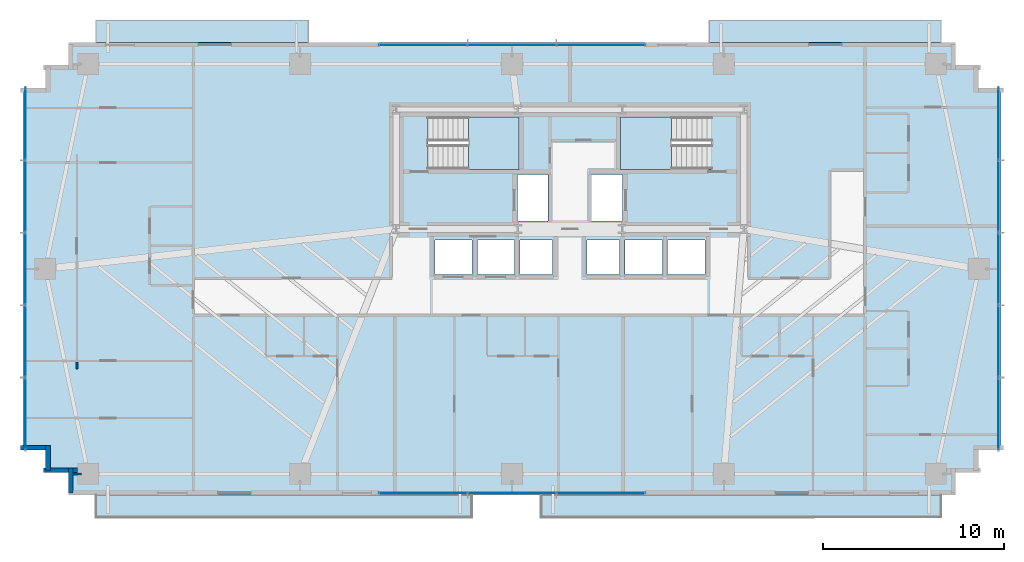
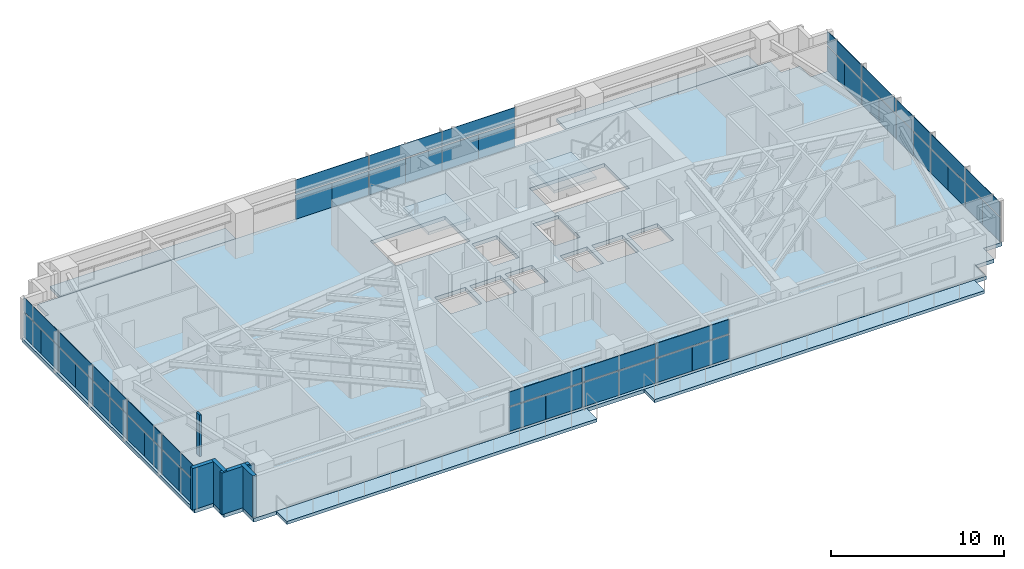
# One storey, part 18 of 25: 48 plates, 7 slabs, 6 walls, 6 elements without a shape of their own.
"""IFC4 building model written with IfcOpenShell, lengths in metres."""

import ifcopenshell
import ifcopenshell.guid

model = None  # the IFC model being written
_history = None  # IfcOwnerHistory: only IFC2X3 demands one
_inside = {}  # id of a spatial element -> (the spatial element, [elements in it])
_under = {}  # id of a project, library or spatial element -> (it, [spatial elements below it])
_declared = {}  # id of a project -> (the project, [libraries it declares])
_typed = {}  # id of a type object -> (the type object, [elements of that type])
_made_of = {}  # id of a material, layer set ... -> (it, [elements and type objects made of it])


def new_model(schema):
    """Start an empty IFC model of exactly this schema.

    Asked for "IFC4X3", IfcOpenShell would pick the latest addendum, in which some entities
    have other attributes; the version numbers below select the first issue.
    IFC2X3 requires an IfcOwnerHistory on every rooted entity: one is made here for all.
    """
    global model, _history
    if schema == "IFC4X3":
        model = ifcopenshell.file(schema_version=(4, 3, 0, 0))
    else:
        model = ifcopenshell.file(schema=schema)
    _inside.clear()
    _under.clear()
    _declared.clear()
    _typed.clear()
    _made_of.clear()
    _history = None
    if model.schema == "IFC2X3":
        org = make("IfcOrganization", Name="unknown")
        user = make(
            "IfcPersonAndOrganization",
            ThePerson=make("IfcPerson", FamilyName="unknown"),
            TheOrganization=org,
        )
        app = make(
            "IfcApplication",
            ApplicationDeveloper=org,
            Version="unknown",
            ApplicationFullName="unknown",
            ApplicationIdentifier="unknown",
        )
        _history = make(
            "IfcOwnerHistory",
            OwningUser=user,
            OwningApplication=app,
            ChangeAction="ADDED",
            CreationDate=0,
        )
    return model


def make(cls, **values):
    """One entity of the class cls with the attributes given. An attribute that is None is left unset."""
    return model.create_entity(
        cls, **{name: value for name, value in values.items() if value is not None}
    )


def rooted(cls, **values):
    """An entity with a GlobalId (a new one), such as an element, a storey or a relation."""
    return make(cls, GlobalId=ifcopenshell.guid.new(), OwnerHistory=_history, **values)


def si_unit(unit_type, name, prefix=None):
    """IfcSIUnit, for example si_unit("LENGTHUNIT", "METRE", prefix="MILLI")."""
    return make("IfcSIUnit", UnitType=unit_type, Prefix=prefix, Name=name)


def assignment(units):
    """IfcUnitAssignment: the units of a project."""
    return None if units is None else make("IfcUnitAssignment", Units=units)


def point(xyz):
    """IfcCartesianPoint."""
    return None if xyz is None else make("IfcCartesianPoint", Coordinates=xyz)


def direction(xyz):
    """IfcDirection."""
    return None if xyz is None else make("IfcDirection", DirectionRatios=xyz)


def frame(location, z_axis=None, x_axis=None):
    """IfcAxis2Placement3D, a coordinate frame: its origin and axes. An axis left out is left unset."""
    return make(
        "IfcAxis2Placement3D",
        Location=point(location),
        Axis=direction(z_axis),
        RefDirection=direction(x_axis),
    )


def frame_2d(location, x_axis=None):
    """IfcAxis2Placement2D, a coordinate frame in the plane: its origin and x axis."""
    return make(
        "IfcAxis2Placement2D", Location=point(location), RefDirection=direction(x_axis)
    )


def origin():
    """The frame at (0, 0, 0) with its axes left unset."""
    return frame((0.0, 0.0, 0.0))


def origin_2d():
    """The frame at (0, 0) in the plane with its x axis left unset."""
    return frame_2d((0.0, 0.0))


def place(relative_to, where):
    """IfcLocalPlacement: puts the frame where relative to a parent placement (None: the world)."""
    return make(
        "IfcLocalPlacement", PlacementRelTo=relative_to, RelativePlacement=where
    )


def context(
    kind, dimensions, precision=None, world=None, true_north=None, identifier=None
):
    """IfcGeometricRepresentationContext, for example the 3D "Model" context."""
    return make(
        "IfcGeometricRepresentationContext",
        ContextIdentifier=identifier,
        ContextType=kind,
        CoordinateSpaceDimension=dimensions,
        Precision=precision,
        WorldCoordinateSystem=world,
        TrueNorth=true_north,
    )


def subcontext(parent, identifier, kind, view, scale=None):
    """IfcGeometricRepresentationSubContext, for example "Body" below "Model"."""
    return make(
        "IfcGeometricRepresentationSubContext",
        ContextIdentifier=identifier,
        ContextType=kind,
        ParentContext=parent,
        TargetScale=scale,
        TargetView=view,
    )


def project(units=None, contexts=None):
    """IfcProject with its units and contexts."""
    return rooted(
        "IfcProject",
        Name="project",
        RepresentationContexts=contexts,
        UnitsInContext=assignment(units),
    )


def spatial(cls, under=None, at=None, **own):
    """A site, building, storey or space (cls), placed at a placement, below another one or the project."""
    s = rooted(cls, ObjectPlacement=at, **own)
    if under is not None:
        _under.setdefault(under.id(), (under, []))[1].append(s)
    return s


def polyline(points):
    """IfcPolyline through the points."""
    return make("IfcPolyline", Points=[point(p) for p in points])


def profile(cls, at=None, kind="AREA", **sizes):
    """A parametric profile (cls). Its sizes go by their IFC names, for example OverallWidth=200.0."""
    return make(cls, ProfileType=kind, Position=at, **sizes)


def rectangle(**sizes):
    """IfcRectangleProfileDef."""
    return profile("IfcRectangleProfileDef", **sizes)


def outline(outer, holes=None, kind="AREA"):
    """IfcArbitraryClosedProfileDef: a profile drawn as a closed curve; with holes, ...WithVoids."""
    if holes is None:
        return make("IfcArbitraryClosedProfileDef", ProfileType=kind, OuterCurve=outer)
    return make(
        "IfcArbitraryProfileDefWithVoids",
        ProfileType=kind,
        OuterCurve=outer,
        InnerCurves=holes,
    )


def extrude(swept, where, along, depth):
    """IfcExtrudedAreaSolid: the profile swept, set in the frame where, extruded along a direction by depth."""
    return make(
        "IfcExtrudedAreaSolid",
        SweptArea=swept,
        Position=where,
        ExtrudedDirection=direction(along),
        Depth=depth,
    )


def shape(context_of_items, identifier, shape_type, items):
    """IfcShapeRepresentation: the items that make up one representation, for example the "Body"."""
    return make(
        "IfcShapeRepresentation",
        ContextOfItems=context_of_items,
        RepresentationIdentifier=identifier,
        RepresentationType=shape_type,
        Items=items,
    )


def source(mapping_origin, context_of_items, identifier, shape_type, items):
    """IfcRepresentationMap: a shape defined once, which mapped items show again and again."""
    return make(
        "IfcRepresentationMap",
        MappingOrigin=mapping_origin,
        MappedRepresentation=shape(context_of_items, identifier, shape_type, items),
    )


def transform(
    local_origin,
    x_axis=None,
    y_axis=None,
    z_axis=None,
    scale=None,
    scale2=None,
    scale3=None,
    uniform=True,
):
    """IfcCartesianTransformationOperator3D, or its non-uniform kind. x_axis, y_axis, z_axis: its Axis1, 2, 3."""
    if uniform:
        return make(
            "IfcCartesianTransformationOperator3D",
            Axis1=direction(x_axis),
            Axis2=direction(y_axis),
            LocalOrigin=point(local_origin),
            Scale=scale,
            Axis3=direction(z_axis),
        )
    return make(
        "IfcCartesianTransformationOperator3DnonUniform",
        Axis1=direction(x_axis),
        Axis2=direction(y_axis),
        LocalOrigin=point(local_origin),
        Scale=scale,
        Axis3=direction(z_axis),
        Scale2=scale2,
        Scale3=scale3,
    )


def mapped(mapping_source, mapping_target):
    """IfcMappedItem: shows the shape of a source again, moved by a transform."""
    return make(
        "IfcMappedItem", MappingSource=mapping_source, MappingTarget=mapping_target
    )


def material(Name=None, Category=None):
    """IfcMaterial."""
    return make("IfcMaterial", Name=Name, Category=Category)


def layer(
    of_material, thickness, ventilated=None, Name=None, Category=None, Priority=None
):
    """IfcMaterialLayer: one layer of a wall or slab, of a material (None: an air gap)."""
    return make(
        "IfcMaterialLayer",
        Material=of_material,
        LayerThickness=thickness,
        IsVentilated=ventilated,
        Name=Name,
        Category=Category,
        Priority=Priority,
    )


def layer_set(layers, Name=None):
    """IfcMaterialLayerSet."""
    return make("IfcMaterialLayerSet", MaterialLayers=layers, LayerSetName=Name)


def made_of(thing, what):
    """Note that an element or type object is made of a material, layer set ...; save() writes the relation."""
    if what is not None:
        _made_of.setdefault(what.id(), (what, []))[1].append(thing)
    return thing


def type_object(cls, material=None, **own):
    """A type object (cls), such as IfcWallType, which elements share."""
    return made_of(rooted(cls, **own), material)


def type_shapes(of_type, sources):
    """Give a type object the sources (RepresentationMaps) that its elements show as mapped items."""
    of_type.RepresentationMaps = sources


def element(
    cls,
    number,
    at=None,
    inside=None,
    cuts=None,
    type_object=None,
    material=None,
    context=None,
    identifier="Body",
    shape_type=None,
    held_by="IfcProductDefinitionShape",
    body=None,
    shapes=None,
    **own,
):
    """One element of the class cls, such as IfcWall. Its Tag is "e" and its number.

    at: its placement. inside: the storey or other place that contains it. cuts: it is an
    opening in that element (IfcRelVoidsElement). A single representation is given by context,
    identifier, shape_type and body (its items); several are given by shapes. held_by: the class
    of the entity that holds the representations. save() writes the other relations.
    """
    e = rooted(cls, Tag="e%d" % number, ObjectPlacement=at, **own)
    if body is not None:
        shapes = [shape(context, identifier, shape_type, body)]
    if shapes is not None:
        e.Representation = make(held_by, Representations=shapes)
    if inside is not None:
        _inside.setdefault(inside.id(), (inside, []))[1].append(e)
    if cuts is not None:
        rooted(
            "IfcRelVoidsElement", RelatingBuildingElement=cuts, RelatedOpeningElement=e
        )
    if type_object is not None:
        _typed.setdefault(type_object.id(), (type_object, []))[1].append(e)
    return made_of(e, material)


def aggregate(whole, parts):
    """IfcRelAggregates: a whole, such as a stair, and the parts it consists of."""
    return rooted("IfcRelAggregates", RelatingObject=whole, RelatedObjects=parts)


def save(model, path):
    """Write the relations noted so far, then the file.

    IfcRelAggregates (storeys below a building ...), IfcRelContainedInSpatialStructure (elements
    in a storey), IfcRelDefinesByType, IfcRelAssociatesMaterial and IfcRelDeclares: one each for
    every whole, place, type object, material and project.
    """
    for whole, parts in _under.values():
        aggregate(whole, parts)
    for where, things in _inside.values():
        rooted(
            "IfcRelContainedInSpatialStructure",
            RelatedElements=things,
            RelatingStructure=where,
        )
    for kind, things in _typed.values():
        rooted("IfcRelDefinesByType", RelatedObjects=things, RelatingType=kind)
    for what, things in _made_of.values():
        rooted("IfcRelAssociatesMaterial", RelatedObjects=things, RelatingMaterial=what)
    for by, libraries in _declared.values():
        rooted("IfcRelDeclares", RelatingContext=by, RelatedDefinitions=libraries)
    model.write(path)


model = new_model("IFC4")

# Units and contexts
model_context = context("Model", 3, precision=1e-05, world=origin(), true_north=direction((0.0, 1.0)))
body_context = subcontext(model_context, "Body", "Model", "MODEL_VIEW")
ifc_project = project(units=[si_unit("LENGTHUNIT", "METRE"), si_unit("AREAUNIT", "SQUARE_METRE"), si_unit("VOLUMEUNIT", "CUBIC_METRE"), si_unit("PLANEANGLEUNIT", "RADIAN"), si_unit("MASSUNIT", "GRAM", prefix="KILO")], contexts=[model_context])

# Site, building, storey
site_placement = place(None, origin())
site = spatial("IfcSite", under=ifc_project, at=site_placement, CompositionType="ELEMENT")
building_placement = place(site_placement, origin())
building = spatial("IfcBuilding", under=site, at=building_placement, Name="Astriad Promenade Condominiums", CompositionType="ELEMENT")
storey_placement = place(building_placement, frame((0.0, 0.0, 48.60009765625)))
storey = spatial("IfcBuildingStorey", under=building, at=storey_placement, Name="L13", CompositionType="ELEMENT", Elevation=48.60009765625)

# Slab
ifc_material_1 = material(Name="Concrete C50/60", Category="concrete")
ifc_layer_1 = layer(ifc_material_1, 0.260009765625)
ifc_layer_set_1 = layer_set([ifc_layer_1], Name="Concrete C50/60")
slab_type_1 = type_object("IfcSlabType", Name="CONCRETE TOWER FLOOR SLAB 260", PredefinedType="FLOOR", material=ifc_layer_set_1)
slab_1_placement = place(storey_placement, frame((0.0, 0.0, -0.260009765625)))
element("IfcSlab", 1, at=slab_1_placement, inside=storey, type_object=slab_type_1, Name="Structural Floor Slab (L13)", PredefinedType="FLOOR", context=body_context, shape_type="SweptSolid", body=[
    extrude(outline(polyline([(8.300048828125, 2.699951171875), (57.300048828125, 2.699951171875), (57.300048828125, 3.949951171875), (58.550048828125, 3.949951171875), (58.550048828125, 5.199951171875), (59.800048828125, 5.199951171875), (59.800048828125, 25.199951171875), (58.550048828125, 25.199951171875), (58.550048828125, 26.449951171875), (57.300048828125, 26.449951171875), (57.300048828125, 27.699951171875), (8.300048828125, 27.699951171875), (8.300048828125, 26.449951171875), (7.050048828125, 26.449951171875), (7.050048828125, 25.199951171875), (5.800048828125, 25.199951171875), (5.800048828125, 5.199951171875), (7.050048828125, 5.199951171875), (7.050048828125, 3.949951171875), (8.300048828125, 3.949951171875), (8.300048828125, 2.699951171875)]), holes=[polyline([(28.175048828125, 20.699951171875), (33.175048828125, 20.699951171875), (33.175048828125, 23.60009765625), (28.175048828125, 23.60009765625), (28.175048828125, 20.699951171875)]), polyline([(38.824951171875, 20.699951171875), (43.824951171875, 20.699951171875), (43.824951171875, 23.60009765625), (38.824951171875, 23.60009765625), (38.824951171875, 20.699951171875)]), polyline([(33.10009765625, 17.85009765625), (34.800048828125, 17.85009765625), (34.800048828125, 20.39990234375), (33.10009765625, 20.39990234375), (33.10009765625, 17.85009765625)]), polyline([(37.199951171875, 17.85009765625), (38.89990234375, 17.85009765625), (38.89990234375, 20.39990234375), (37.199951171875, 20.39990234375), (37.199951171875, 17.85009765625)]), polyline([(28.550048828125, 14.89990234375), (30.60009765625, 14.89990234375), (30.60009765625, 16.800048828125), (28.550048828125, 16.800048828125), (28.550048828125, 14.89990234375)]), polyline([(30.89990234375, 14.89990234375), (32.949951171875, 14.89990234375), (32.949951171875, 16.800048828125), (30.89990234375, 16.800048828125), (30.89990234375, 14.89990234375)]), polyline([(33.25, 14.89990234375), (35.050048828125, 14.89990234375), (35.050048828125, 16.800048828125), (33.25, 16.800048828125), (33.25, 14.89990234375)]), polyline([(36.949951171875, 14.89990234375), (38.75, 14.89990234375), (38.75, 16.800048828125), (36.949951171875, 16.800048828125), (36.949951171875, 14.89990234375)]), polyline([(39.050048828125, 14.89990234375), (41.10009765625, 14.89990234375), (41.10009765625, 16.800048828125), (39.050048828125, 16.800048828125), (39.050048828125, 14.89990234375)]), polyline([(41.39990234375, 14.89990234375), (43.449951171875, 14.89990234375), (43.449951171875, 16.800048828125), (41.39990234375, 16.800048828125), (41.39990234375, 14.89990234375)])]), origin(), (0.0, 0.0, 1.0), 0.260009765625),
])

# Stair, slab
stair_type = type_object("IfcStairType", Name="STR-CORE-1350", PredefinedType="HALF_TURN_STAIR", material=ifc_material_1)
stair_1_placement = place(storey_placement, origin())
stair_1 = element("IfcStair", 2, at=stair_1_placement, inside=storey, type_object=stair_type, Name="L13 Enclosed Core Exit Stair ST-1", PredefinedType="HALF_TURN_STAIR")
ifc_layer_2 = layer(ifc_material_1, 0.219970703125)
ifc_layer_set_2 = layer_set([ifc_layer_2], Name="Concrete C50/60")
slab_type_2 = type_object("IfcSlabType", Name="SLB-LANDING-220", PredefinedType="LANDING", material=ifc_layer_set_2)
slab_2_placement = place(storey_placement, frame((0.0, 0.0, 1.39990234375)))
slab_2 = element("IfcSlab", 3, at=slab_2_placement, type_object=slab_type_2, Name="ST-1 landing 1", PredefinedType="LANDING", context=body_context, shape_type="SweptSolid", body=[
    extrude(outline(polyline([(30.389892578125, 20.699951171875), (33.199951171875, 20.699951171875), (33.199951171875, 23.60009765625), (30.389892578125, 23.60009765625), (30.389892578125, 20.699951171875)])), origin(), (0.0, 0.0, 1.0), 0.199951171875),
])
aggregate(stair_1, [slab_2])

stair_2_placement = place(storey_placement, origin())
stair_2 = element("IfcStair", 4, at=stair_2_placement, inside=storey, type_object=stair_type, Name="L13 Enclosed Core Exit Stair ST-2", PredefinedType="HALF_TURN_STAIR")
slab_3_placement = place(storey_placement, frame((0.0, 0.0, 1.39990234375)))
slab_3 = element("IfcSlab", 5, at=slab_3_placement, type_object=slab_type_2, Name="ST-2 landing 1", PredefinedType="LANDING", context=body_context, shape_type="SweptSolid", body=[
    extrude(outline(polyline([(41.610107421875, 23.60009765625), (38.800048828125, 23.60009765625), (38.800048828125, 20.699951171875), (41.610107421875, 20.699951171875), (41.610107421875, 23.60009765625)])), origin(), (0.0, 0.0, 1.0), 0.199951171875),
])
aggregate(stair_2, [slab_3])

# Slabs
ifc_material_2 = material(Name="Precast concrete C50/60", Category="concrete")
ifc_layer_3 = layer(ifc_material_2, 0.219970703125)
ifc_layer_set_3 = layer_set([ifc_layer_3], Name="Precast concrete C50/60")
slab_type_3 = type_object("IfcSlabType", Name="WHITE PRECAST CONCRETE WAVE BALCONY SLAB 220", PredefinedType="FLOOR", material=ifc_layer_set_3)
slab_4_placement = place(storey_placement, frame((0.0, 0.0, -0.22021484375)))
element("IfcSlab", 6, at=slab_4_placement, inside=storey, type_object=slab_type_3, Name="White Precast Wave Balcony Slab BAL-L13-SW", PredefinedType="FLOOR", context=body_context, shape_type="SweptSolid", body=[
    extrude(outline(polyline([(30.572998046875, 1.47998046875), (9.827880859375, 1.47998046875), (9.827880859375, 2.697998046875), (30.572998046875, 2.697998046875), (30.572998046875, 1.47998046875)])), origin(), (0.0, 0.0, 1.0), 0.22021484375),
])
slab_5_placement = place(storey_placement, frame((0.0, 0.0, -0.22021484375)))
element("IfcSlab", 7, at=slab_5_placement, inside=storey, type_object=slab_type_3, Name="White Precast Wave Balcony Slab BAL-L13-SE", PredefinedType="FLOOR", context=body_context, shape_type="SweptSolid", body=[
    extrude(outline(polyline([(56.493896484375, 1.47998046875), (34.41796875, 1.47998046875), (34.41796875, 2.697998046875), (56.493896484375, 2.697998046875), (56.493896484375, 1.47998046875)])), origin(), (0.0, 0.0, 1.0), 0.22021484375),
])
slab_6_placement = place(storey_placement, frame((0.0, 0.0, -0.22021484375)))
element("IfcSlab", 8, at=slab_6_placement, inside=storey, type_object=slab_type_3, Name="White Precast Wave Balcony Slab BAL-L13-NW", PredefinedType="FLOOR", context=body_context, shape_type="SweptSolid", body=[
    extrude(outline(polyline([(9.827880859375, 28.919921875), (21.550048828125, 28.919921875), (21.550048828125, 27.701904296875), (9.827880859375, 27.701904296875), (9.827880859375, 28.919921875)])), origin(), (0.0, 0.0, 1.0), 0.22021484375),
])
slab_7_placement = place(storey_placement, frame((0.0, 0.0, -0.22021484375)))
element("IfcSlab", 9, at=slab_7_placement, inside=storey, type_object=slab_type_3, Name="White Precast Wave Balcony Slab BAL-L13-NE", PredefinedType="FLOOR", context=body_context, shape_type="SweptSolid", body=[
    extrude(outline(polyline([(43.68994140625, 28.919921875), (56.493896484375, 28.919921875), (56.493896484375, 27.701904296875), (43.68994140625, 27.701904296875), (43.68994140625, 28.919921875)])), origin(), (0.0, 0.0, 1.0), 0.22021484375),
])

# Curtain wall, plates
ifc_material_3 = material(Name="Anodised aluminium Black Dark Glass Unitised", Category="aluminium")
curtain_wall_type = type_object("IfcCurtainWallType", Name="CW-B1-DARK", PredefinedType="USERDEFINED", material=ifc_material_3)
curtain_wall_1_placement = place(storey_placement, origin())
curtain_wall_1 = element("IfcCurtainWall", 10, at=curtain_wall_1_placement, inside=storey, type_object=curtain_wall_type, Name="CW-L13-W", ObjectType="UNITISED_CURTAIN_WALL", PredefinedType="USERDEFINED")
ifc_material_4 = material(Name="Dark Tinted Low-E Laminated Glass", Category="glass")
ifc_layer_4 = layer(ifc_material_4, 0.035888671875)
ifc_layer_set_4 = layer_set([ifc_layer_4], Name="Dark Tinted Low-E Laminated Glass")
plate_type = type_object("IfcPlateType", Name="PNL-DARK-GLASS-36", PredefinedType="CURTAIN_PANEL", material=ifc_layer_set_4)
shared_shape_1 = source(origin(), body_context, "Body", "SweptSolid", [
    extrude(rectangle(XDim=1.988037109375, YDim=0.035888671875, at=origin_2d()), origin(), (0.0, 0.0, 1.0), 1.702880859375),
])
plate_1_placement = place(storey_placement, frame((5.929931640625, 6.199951171875, 0.080078125), z_axis=(0.0, 0.0, 1.0), x_axis=(0.0, 1.0, 0.0)))
plate_1 = element("IfcPlate", 11, at=plate_1_placement, type_object=plate_type, Name="CW-L13-W-PNL-00-VL", PredefinedType="CURTAIN_PANEL", context=body_context, shape_type="MappedRepresentation", body=[
    mapped(shared_shape_1, transform((0.0, 0.0, 0.0), scale=1.0)),
])
plate_2_placement = place(storey_placement, frame((5.929931640625, 8.199951171875, 0.080078125), z_axis=(0.0, 0.0, 1.0), x_axis=(0.0, 1.0, 0.0)))
plate_2 = element("IfcPlate", 12, at=plate_2_placement, type_object=plate_type, Name="CW-L13-W-PNL-00-VR", PredefinedType="CURTAIN_PANEL", context=body_context, shape_type="MappedRepresentation", body=[
    mapped(shared_shape_1, transform((0.0, 0.0, 0.0), scale=1.0)),
])
plate_3_placement = place(storey_placement, frame((5.929931640625, 10.199951171875, 0.080078125), z_axis=(0.0, 0.0, 1.0), x_axis=(0.0, 1.0, 0.0)))
plate_3 = element("IfcPlate", 13, at=plate_3_placement, type_object=plate_type, Name="CW-L13-W-PNL-01-VL", PredefinedType="CURTAIN_PANEL", context=body_context, shape_type="MappedRepresentation", body=[
    mapped(shared_shape_1, transform((0.0, 0.0, 0.0), scale=1.0)),
])
plate_4_placement = place(storey_placement, frame((5.929931640625, 12.199951171875, 0.080078125), z_axis=(0.0, 0.0, 1.0), x_axis=(0.0, 1.0, 0.0)))
plate_4 = element("IfcPlate", 14, at=plate_4_placement, type_object=plate_type, Name="CW-L13-W-PNL-01-VR", PredefinedType="CURTAIN_PANEL", context=body_context, shape_type="MappedRepresentation", body=[
    mapped(shared_shape_1, transform((0.0, 0.0, 0.0), scale=1.0)),
])
plate_5_placement = place(storey_placement, frame((5.929931640625, 14.199951171875, 0.080078125), z_axis=(0.0, 0.0, 1.0), x_axis=(0.0, 1.0, 0.0)))
plate_5 = element("IfcPlate", 15, at=plate_5_placement, type_object=plate_type, Name="CW-L13-W-PNL-02-VL", PredefinedType="CURTAIN_PANEL", context=body_context, shape_type="MappedRepresentation", body=[
    mapped(shared_shape_1, transform((0.0, 0.0, 0.0), scale=1.0)),
])
plate_6_placement = place(storey_placement, frame((5.929931640625, 16.199951171875, 0.080078125), z_axis=(0.0, 0.0, 1.0), x_axis=(0.0, 1.0, 0.0)))
plate_6 = element("IfcPlate", 16, at=plate_6_placement, type_object=plate_type, Name="CW-L13-W-PNL-02-VR", PredefinedType="CURTAIN_PANEL", context=body_context, shape_type="MappedRepresentation", body=[
    mapped(shared_shape_1, transform((0.0, 0.0, 0.0), scale=1.0)),
])
plate_7_placement = place(storey_placement, frame((5.929931640625, 18.199951171875, 0.080078125), z_axis=(0.0, 0.0, 1.0), x_axis=(0.0, 1.0, 0.0)))
plate_7 = element("IfcPlate", 17, at=plate_7_placement, type_object=plate_type, Name="CW-L13-W-PNL-03-VL", PredefinedType="CURTAIN_PANEL", context=body_context, shape_type="MappedRepresentation", body=[
    mapped(shared_shape_1, transform((0.0, 0.0, 0.0), scale=1.0)),
])
plate_8_placement = place(storey_placement, frame((5.929931640625, 20.199951171875, 0.080078125), z_axis=(0.0, 0.0, 1.0), x_axis=(0.0, 1.0, 0.0)))
plate_8 = element("IfcPlate", 18, at=plate_8_placement, type_object=plate_type, Name="CW-L13-W-PNL-03-VR", PredefinedType="CURTAIN_PANEL", context=body_context, shape_type="MappedRepresentation", body=[
    mapped(shared_shape_1, transform((0.0, 0.0, 0.0), scale=1.0)),
])
plate_9_placement = place(storey_placement, frame((5.929931640625, 22.199951171875, 0.080078125), z_axis=(0.0, 0.0, 1.0), x_axis=(0.0, 1.0, 0.0)))
plate_9 = element("IfcPlate", 19, at=plate_9_placement, type_object=plate_type, Name="CW-L13-W-PNL-04-VL", PredefinedType="CURTAIN_PANEL", context=body_context, shape_type="MappedRepresentation", body=[
    mapped(shared_shape_1, transform((0.0, 0.0, 0.0), scale=1.0)),
])
plate_10_placement = place(storey_placement, frame((5.929931640625, 24.199951171875, 0.080078125), z_axis=(0.0, 0.0, 1.0), x_axis=(0.0, 1.0, 0.0)))
plate_10 = element("IfcPlate", 20, at=plate_10_placement, type_object=plate_type, Name="CW-L13-W-PNL-04-VR", PredefinedType="CURTAIN_PANEL", context=body_context, shape_type="MappedRepresentation", body=[
    mapped(shared_shape_1, transform((0.0, 0.0, 0.0), scale=1.0)),
])

curtain_wall_2_placement = place(storey_placement, origin())
curtain_wall_2 = element("IfcCurtainWall", 21, at=curtain_wall_2_placement, inside=storey, type_object=curtain_wall_type, Name="CW-L13-E", ObjectType="UNITISED_CURTAIN_WALL", PredefinedType="USERDEFINED")
plate_11_placement = place(storey_placement, frame((59.669921875, 24.199951171875, 0.080078125), z_axis=(0.0, 0.0, 1.0), x_axis=(0.0, -1.0, 0.0)))
plate_11 = element("IfcPlate", 22, at=plate_11_placement, type_object=plate_type, Name="CW-L13-E-PNL-00-VL", PredefinedType="CURTAIN_PANEL", context=body_context, shape_type="MappedRepresentation", body=[
    mapped(shared_shape_1, transform((0.0, 0.0, 0.0), scale=1.0)),
])
plate_12_placement = place(storey_placement, frame((59.669921875, 22.199951171875, 0.080078125), z_axis=(0.0, 0.0, 1.0), x_axis=(0.0, -1.0, 0.0)))
plate_12 = element("IfcPlate", 23, at=plate_12_placement, type_object=plate_type, Name="CW-L13-E-PNL-00-VR", PredefinedType="CURTAIN_PANEL", context=body_context, shape_type="MappedRepresentation", body=[
    mapped(shared_shape_1, transform((0.0, 0.0, 0.0), scale=1.0)),
])
plate_13_placement = place(storey_placement, frame((59.669921875, 20.199951171875, 0.080078125), z_axis=(0.0, 0.0, 1.0), x_axis=(0.0, -1.0, 0.0)))
plate_13 = element("IfcPlate", 24, at=plate_13_placement, type_object=plate_type, Name="CW-L13-E-PNL-01-VL", PredefinedType="CURTAIN_PANEL", context=body_context, shape_type="MappedRepresentation", body=[
    mapped(shared_shape_1, transform((0.0, 0.0, 0.0), scale=1.0)),
])
plate_14_placement = place(storey_placement, frame((59.669921875, 18.199951171875, 0.080078125), z_axis=(0.0, 0.0, 1.0), x_axis=(0.0, -1.0, 0.0)))
plate_14 = element("IfcPlate", 25, at=plate_14_placement, type_object=plate_type, Name="CW-L13-E-PNL-01-VR", PredefinedType="CURTAIN_PANEL", context=body_context, shape_type="MappedRepresentation", body=[
    mapped(shared_shape_1, transform((0.0, 0.0, 0.0), scale=1.0)),
])
plate_15_placement = place(storey_placement, frame((59.669921875, 16.199951171875, 0.080078125), z_axis=(0.0, 0.0, 1.0), x_axis=(0.0, -1.0, 0.0)))
plate_15 = element("IfcPlate", 26, at=plate_15_placement, type_object=plate_type, Name="CW-L13-E-PNL-02-VL", PredefinedType="CURTAIN_PANEL", context=body_context, shape_type="MappedRepresentation", body=[
    mapped(shared_shape_1, transform((0.0, 0.0, 0.0), scale=1.0)),
])
plate_16_placement = place(storey_placement, frame((59.669921875, 14.199951171875, 0.080078125), z_axis=(0.0, 0.0, 1.0), x_axis=(0.0, -1.0, 0.0)))
plate_16 = element("IfcPlate", 27, at=plate_16_placement, type_object=plate_type, Name="CW-L13-E-PNL-02-VR", PredefinedType="CURTAIN_PANEL", context=body_context, shape_type="MappedRepresentation", body=[
    mapped(shared_shape_1, transform((0.0, 0.0, 0.0), scale=1.0)),
])
plate_17_placement = place(storey_placement, frame((59.669921875, 12.199951171875, 0.080078125), z_axis=(0.0, 0.0, 1.0), x_axis=(0.0, -1.0, 0.0)))
plate_17 = element("IfcPlate", 28, at=plate_17_placement, type_object=plate_type, Name="CW-L13-E-PNL-03-VL", PredefinedType="CURTAIN_PANEL", context=body_context, shape_type="MappedRepresentation", body=[
    mapped(shared_shape_1, transform((0.0, 0.0, 0.0), scale=1.0)),
])
plate_18_placement = place(storey_placement, frame((59.669921875, 10.199951171875, 0.080078125), z_axis=(0.0, 0.0, 1.0), x_axis=(0.0, -1.0, 0.0)))
plate_18 = element("IfcPlate", 29, at=plate_18_placement, type_object=plate_type, Name="CW-L13-E-PNL-03-VR", PredefinedType="CURTAIN_PANEL", context=body_context, shape_type="MappedRepresentation", body=[
    mapped(shared_shape_1, transform((0.0, 0.0, 0.0), scale=1.0)),
])
plate_19_placement = place(storey_placement, frame((59.669921875, 8.199951171875, 0.080078125), z_axis=(0.0, 0.0, 1.0), x_axis=(0.0, -1.0, 0.0)))
plate_19 = element("IfcPlate", 30, at=plate_19_placement, type_object=plate_type, Name="CW-L13-E-PNL-04-VL", PredefinedType="CURTAIN_PANEL", context=body_context, shape_type="MappedRepresentation", body=[
    mapped(shared_shape_1, transform((0.0, 0.0, 0.0), scale=1.0)),
])
plate_20_placement = place(storey_placement, frame((59.669921875, 6.199951171875, 0.080078125), z_axis=(0.0, 0.0, 1.0), x_axis=(0.0, -1.0, 0.0)))
plate_20 = element("IfcPlate", 31, at=plate_20_placement, type_object=plate_type, Name="CW-L13-E-PNL-04-VR", PredefinedType="CURTAIN_PANEL", context=body_context, shape_type="MappedRepresentation", body=[
    mapped(shared_shape_1, transform((0.0, 0.0, 0.0), scale=1.0)),
])

# Plate
shared_shape_2 = source(origin(), body_context, "Body", "SweptSolid", [
    extrude(rectangle(XDim=3.988037109375, YDim=0.035888671875, at=origin_2d()), origin(), (0.0, 0.0, 1.0), 0.997314453125),
])
plate_21_placement = place(storey_placement, frame((5.929931640625, 7.199951171875, 1.86279296875), z_axis=(0.0, 0.0, 1.0), x_axis=(0.0, 1.0, 0.0)))
plate_21 = element("IfcPlate", 32, at=plate_21_placement, type_object=plate_type, Name="CW-L13-W-PNL-00-S", PredefinedType="CURTAIN_PANEL", context=body_context, shape_type="MappedRepresentation", body=[
    mapped(shared_shape_2, transform((0.0, 0.0, 0.0), scale=1.0)),
])

plate_22_placement = place(storey_placement, frame((5.929931640625, 11.199951171875, 1.86279296875), z_axis=(0.0, 0.0, 1.0), x_axis=(0.0, 1.0, 0.0)))
plate_22 = element("IfcPlate", 33, at=plate_22_placement, type_object=plate_type, Name="CW-L13-W-PNL-01-S", PredefinedType="CURTAIN_PANEL", context=body_context, shape_type="MappedRepresentation", body=[
    mapped(shared_shape_2, transform((0.0, 0.0, 0.0), scale=1.0)),
])

plate_23_placement = place(storey_placement, frame((5.929931640625, 15.199951171875, 1.86279296875), z_axis=(0.0, 0.0, 1.0), x_axis=(0.0, 1.0, 0.0)))
plate_23 = element("IfcPlate", 34, at=plate_23_placement, type_object=plate_type, Name="CW-L13-W-PNL-02-S", PredefinedType="CURTAIN_PANEL", context=body_context, shape_type="MappedRepresentation", body=[
    mapped(shared_shape_2, transform((0.0, 0.0, 0.0), scale=1.0)),
])

plate_24_placement = place(storey_placement, frame((5.929931640625, 19.199951171875, 1.86279296875), z_axis=(0.0, 0.0, 1.0), x_axis=(0.0, 1.0, 0.0)))
plate_24 = element("IfcPlate", 35, at=plate_24_placement, type_object=plate_type, Name="CW-L13-W-PNL-03-S", PredefinedType="CURTAIN_PANEL", context=body_context, shape_type="MappedRepresentation", body=[
    mapped(shared_shape_2, transform((0.0, 0.0, 0.0), scale=1.0)),
])

plate_25_placement = place(storey_placement, frame((5.929931640625, 23.199951171875, 1.86279296875), z_axis=(0.0, 0.0, 1.0), x_axis=(0.0, 1.0, 0.0)))
plate_25 = element("IfcPlate", 36, at=plate_25_placement, type_object=plate_type, Name="CW-L13-W-PNL-04-S", PredefinedType="CURTAIN_PANEL", context=body_context, shape_type="MappedRepresentation", body=[
    mapped(shared_shape_2, transform((0.0, 0.0, 0.0), scale=1.0)),
])

aggregate(curtain_wall_1, [plate_1, plate_2, plate_21, plate_3, plate_4, plate_22, plate_5, plate_6, plate_23, plate_7, plate_8, plate_24, plate_9, plate_10, plate_25])

plate_26_placement = place(storey_placement, frame((59.669921875, 23.199951171875, 1.86279296875), z_axis=(0.0, 0.0, 1.0), x_axis=(0.0, -1.0, 0.0)))
plate_26 = element("IfcPlate", 37, at=plate_26_placement, type_object=plate_type, Name="CW-L13-E-PNL-00-S", PredefinedType="CURTAIN_PANEL", context=body_context, shape_type="MappedRepresentation", body=[
    mapped(shared_shape_2, transform((0.0, 0.0, 0.0), scale=1.0)),
])

plate_27_placement = place(storey_placement, frame((59.669921875, 19.199951171875, 1.86279296875), z_axis=(0.0, 0.0, 1.0), x_axis=(0.0, -1.0, 0.0)))
plate_27 = element("IfcPlate", 38, at=plate_27_placement, type_object=plate_type, Name="CW-L13-E-PNL-01-S", PredefinedType="CURTAIN_PANEL", context=body_context, shape_type="MappedRepresentation", body=[
    mapped(shared_shape_2, transform((0.0, 0.0, 0.0), scale=1.0)),
])

plate_28_placement = place(storey_placement, frame((59.669921875, 15.199951171875, 1.86279296875), z_axis=(0.0, 0.0, 1.0), x_axis=(0.0, -1.0, 0.0)))
plate_28 = element("IfcPlate", 39, at=plate_28_placement, type_object=plate_type, Name="CW-L13-E-PNL-02-S", PredefinedType="CURTAIN_PANEL", context=body_context, shape_type="MappedRepresentation", body=[
    mapped(shared_shape_2, transform((0.0, 0.0, 0.0), scale=1.0)),
])

plate_29_placement = place(storey_placement, frame((59.669921875, 11.199951171875, 1.86279296875), z_axis=(0.0, 0.0, 1.0), x_axis=(0.0, -1.0, 0.0)))
plate_29 = element("IfcPlate", 40, at=plate_29_placement, type_object=plate_type, Name="CW-L13-E-PNL-03-S", PredefinedType="CURTAIN_PANEL", context=body_context, shape_type="MappedRepresentation", body=[
    mapped(shared_shape_2, transform((0.0, 0.0, 0.0), scale=1.0)),
])

plate_30_placement = place(storey_placement, frame((59.669921875, 7.199951171875, 1.86279296875), z_axis=(0.0, 0.0, 1.0), x_axis=(0.0, -1.0, 0.0)))
plate_30 = element("IfcPlate", 41, at=plate_30_placement, type_object=plate_type, Name="CW-L13-E-PNL-04-S", PredefinedType="CURTAIN_PANEL", context=body_context, shape_type="MappedRepresentation", body=[
    mapped(shared_shape_2, transform((0.0, 0.0, 0.0), scale=1.0)),
])

aggregate(curtain_wall_2, [plate_11, plate_12, plate_26, plate_13, plate_14, plate_27, plate_15, plate_16, plate_28, plate_17, plate_18, plate_29, plate_19, plate_20, plate_30])

# Curtain wall, plates
curtain_wall_3_placement = place(storey_placement, origin())
curtain_wall_3 = element("IfcCurtainWall", 42, at=curtain_wall_3_placement, inside=storey, type_object=curtain_wall_type, Name="CW-L13-N", ObjectType="UNITISED_CURTAIN_WALL", PredefinedType="USERDEFINED")
shared_shape_3 = source(origin(), body_context, "Body", "SweptSolid", [
    extrude(rectangle(XDim=2.43798828125, YDim=0.035888671875, at=origin_2d()), origin(), (0.0, 0.0, 1.0), 1.702880859375),
])
plate_31_placement = place(storey_placement, frame((26.675048828125, 27.570068359375, 0.080078125), z_axis=(0.0, 0.0, 1.0), x_axis=(1.0, 0.0, 0.0)))
plate_31 = element("IfcPlate", 43, at=plate_31_placement, type_object=plate_type, Name="CW-L13-N-PNL-00-VL", PredefinedType="CURTAIN_PANEL", context=body_context, shape_type="MappedRepresentation", body=[
    mapped(shared_shape_3, transform((0.0, 0.0, 0.0), scale=1.0)),
])
plate_32_placement = place(storey_placement, frame((29.125, 27.570068359375, 0.080078125), z_axis=(0.0, 0.0, 1.0), x_axis=(1.0, 0.0, 0.0)))
plate_32 = element("IfcPlate", 44, at=plate_32_placement, type_object=plate_type, Name="CW-L13-N-PNL-00-VR", PredefinedType="CURTAIN_PANEL", context=body_context, shape_type="MappedRepresentation", body=[
    mapped(shared_shape_3, transform((0.0, 0.0, 0.0), scale=1.0)),
])
plate_33_placement = place(storey_placement, frame((31.574951171875, 27.570068359375, 0.080078125), z_axis=(0.0, 0.0, 1.0), x_axis=(1.0, 0.0, 0.0)))
plate_33 = element("IfcPlate", 45, at=plate_33_placement, type_object=plate_type, Name="CW-L13-N-PNL-01-VL", PredefinedType="CURTAIN_PANEL", context=body_context, shape_type="MappedRepresentation", body=[
    mapped(shared_shape_3, transform((0.0, 0.0, 0.0), scale=1.0)),
])
plate_34_placement = place(storey_placement, frame((34.02490234375, 27.570068359375, 0.080078125), z_axis=(0.0, 0.0, 1.0), x_axis=(1.0, 0.0, 0.0)))
plate_34 = element("IfcPlate", 46, at=plate_34_placement, type_object=plate_type, Name="CW-L13-N-PNL-01-VR", PredefinedType="CURTAIN_PANEL", context=body_context, shape_type="MappedRepresentation", body=[
    mapped(shared_shape_3, transform((0.0, 0.0, 0.0), scale=1.0)),
])
plate_35_placement = place(storey_placement, frame((36.47509765625, 27.570068359375, 0.080078125), z_axis=(0.0, 0.0, 1.0), x_axis=(1.0, 0.0, 0.0)))
plate_35 = element("IfcPlate", 47, at=plate_35_placement, type_object=plate_type, Name="CW-L13-N-PNL-02-VL", PredefinedType="CURTAIN_PANEL", context=body_context, shape_type="MappedRepresentation", body=[
    mapped(shared_shape_3, transform((0.0, 0.0, 0.0), scale=1.0)),
])
plate_36_placement = place(storey_placement, frame((38.925048828125, 27.570068359375, 0.080078125), z_axis=(0.0, 0.0, 1.0), x_axis=(1.0, 0.0, 0.0)))
plate_36 = element("IfcPlate", 48, at=plate_36_placement, type_object=plate_type, Name="CW-L13-N-PNL-02-VR", PredefinedType="CURTAIN_PANEL", context=body_context, shape_type="MappedRepresentation", body=[
    mapped(shared_shape_3, transform((0.0, 0.0, 0.0), scale=1.0)),
])

curtain_wall_4_placement = place(storey_placement, origin())
curtain_wall_4 = element("IfcCurtainWall", 49, at=curtain_wall_4_placement, inside=storey, type_object=curtain_wall_type, Name="CW-L13-S", ObjectType="UNITISED_CURTAIN_WALL", PredefinedType="USERDEFINED")
plate_37_placement = place(storey_placement, frame((38.925048828125, 2.830078125, 0.080078125), z_axis=(0.0, 0.0, 1.0), x_axis=(-1.0, 0.0, 0.0)))
plate_37 = element("IfcPlate", 50, at=plate_37_placement, type_object=plate_type, Name="CW-L13-S-PNL-00-VL", PredefinedType="CURTAIN_PANEL", context=body_context, shape_type="MappedRepresentation", body=[
    mapped(shared_shape_3, transform((0.0, 0.0, 0.0), scale=1.0)),
])
plate_38_placement = place(storey_placement, frame((36.47509765625, 2.830078125, 0.080078125), z_axis=(0.0, 0.0, 1.0), x_axis=(-1.0, 0.0, 0.0)))
plate_38 = element("IfcPlate", 51, at=plate_38_placement, type_object=plate_type, Name="CW-L13-S-PNL-00-VR", PredefinedType="CURTAIN_PANEL", context=body_context, shape_type="MappedRepresentation", body=[
    mapped(shared_shape_3, transform((0.0, 0.0, 0.0), scale=1.0)),
])
plate_39_placement = place(storey_placement, frame((34.02490234375, 2.830078125, 0.080078125), z_axis=(0.0, 0.0, 1.0), x_axis=(-1.0, 0.0, 0.0)))
plate_39 = element("IfcPlate", 52, at=plate_39_placement, type_object=plate_type, Name="CW-L13-S-PNL-01-VL", PredefinedType="CURTAIN_PANEL", context=body_context, shape_type="MappedRepresentation", body=[
    mapped(shared_shape_3, transform((0.0, 0.0, 0.0), scale=1.0)),
])
plate_40_placement = place(storey_placement, frame((31.574951171875, 2.830078125, 0.080078125), z_axis=(0.0, 0.0, 1.0), x_axis=(-1.0, 0.0, 0.0)))
plate_40 = element("IfcPlate", 53, at=plate_40_placement, type_object=plate_type, Name="CW-L13-S-PNL-01-VR", PredefinedType="CURTAIN_PANEL", context=body_context, shape_type="MappedRepresentation", body=[
    mapped(shared_shape_3, transform((0.0, 0.0, 0.0), scale=1.0)),
])
plate_41_placement = place(storey_placement, frame((29.125, 2.830078125, 0.080078125), z_axis=(0.0, 0.0, 1.0), x_axis=(-1.0, 0.0, 0.0)))
plate_41 = element("IfcPlate", 54, at=plate_41_placement, type_object=plate_type, Name="CW-L13-S-PNL-02-VL", PredefinedType="CURTAIN_PANEL", context=body_context, shape_type="MappedRepresentation", body=[
    mapped(shared_shape_3, transform((0.0, 0.0, 0.0), scale=1.0)),
])
plate_42_placement = place(storey_placement, frame((26.675048828125, 2.830078125, 0.080078125), z_axis=(0.0, 0.0, 1.0), x_axis=(-1.0, 0.0, 0.0)))
plate_42 = element("IfcPlate", 55, at=plate_42_placement, type_object=plate_type, Name="CW-L13-S-PNL-02-VR", PredefinedType="CURTAIN_PANEL", context=body_context, shape_type="MappedRepresentation", body=[
    mapped(shared_shape_3, transform((0.0, 0.0, 0.0), scale=1.0)),
])

# Plate
shared_shape_4 = source(origin(), body_context, "Body", "SweptSolid", [
    extrude(rectangle(XDim=4.887939453125, YDim=0.035888671875, at=origin_2d()), origin(), (0.0, 0.0, 1.0), 0.997314453125),
])
type_shapes(plate_type, [shared_shape_1, shared_shape_2, shared_shape_3, shared_shape_4])
plate_43_placement = place(storey_placement, frame((27.89990234375, 27.570068359375, 1.86279296875), z_axis=(0.0, 0.0, 1.0), x_axis=(1.0, 0.0, 0.0)))
plate_43 = element("IfcPlate", 56, at=plate_43_placement, type_object=plate_type, Name="CW-L13-N-PNL-00-S", PredefinedType="CURTAIN_PANEL", context=body_context, shape_type="MappedRepresentation", body=[
    mapped(shared_shape_4, transform((0.0, 0.0, 0.0), scale=1.0)),
])

plate_44_placement = place(storey_placement, frame((32.800048828125, 27.570068359375, 1.86279296875), z_axis=(0.0, 0.0, 1.0), x_axis=(1.0, 0.0, 0.0)))
plate_44 = element("IfcPlate", 57, at=plate_44_placement, type_object=plate_type, Name="CW-L13-N-PNL-01-S", PredefinedType="CURTAIN_PANEL", context=body_context, shape_type="MappedRepresentation", body=[
    mapped(shared_shape_4, transform((0.0, 0.0, 0.0), scale=1.0)),
])

plate_45_placement = place(storey_placement, frame((37.699951171875, 27.570068359375, 1.86279296875), z_axis=(0.0, 0.0, 1.0), x_axis=(1.0, 0.0, 0.0)))
plate_45 = element("IfcPlate", 58, at=plate_45_placement, type_object=plate_type, Name="CW-L13-N-PNL-02-S", PredefinedType="CURTAIN_PANEL", context=body_context, shape_type="MappedRepresentation", body=[
    mapped(shared_shape_4, transform((0.0, 0.0, 0.0), scale=1.0)),
])

aggregate(curtain_wall_3, [plate_31, plate_32, plate_43, plate_33, plate_34, plate_44, plate_35, plate_36, plate_45])

plate_46_placement = place(storey_placement, frame((37.699951171875, 2.830078125, 1.86279296875), z_axis=(0.0, 0.0, 1.0), x_axis=(-1.0, 0.0, 0.0)))
plate_46 = element("IfcPlate", 59, at=plate_46_placement, type_object=plate_type, Name="CW-L13-S-PNL-00-S", PredefinedType="CURTAIN_PANEL", context=body_context, shape_type="MappedRepresentation", body=[
    mapped(shared_shape_4, transform((0.0, 0.0, 0.0), scale=1.0)),
])

plate_47_placement = place(storey_placement, frame((32.800048828125, 2.830078125, 1.86279296875), z_axis=(0.0, 0.0, 1.0), x_axis=(-1.0, 0.0, 0.0)))
plate_47 = element("IfcPlate", 60, at=plate_47_placement, type_object=plate_type, Name="CW-L13-S-PNL-01-S", PredefinedType="CURTAIN_PANEL", context=body_context, shape_type="MappedRepresentation", body=[
    mapped(shared_shape_4, transform((0.0, 0.0, 0.0), scale=1.0)),
])

plate_48_placement = place(storey_placement, frame((27.89990234375, 2.830078125, 1.86279296875), z_axis=(0.0, 0.0, 1.0), x_axis=(-1.0, 0.0, 0.0)))
plate_48 = element("IfcPlate", 61, at=plate_48_placement, type_object=plate_type, Name="CW-L13-S-PNL-02-S", PredefinedType="CURTAIN_PANEL", context=body_context, shape_type="MappedRepresentation", body=[
    mapped(shared_shape_4, transform((0.0, 0.0, 0.0), scale=1.0)),
])

aggregate(curtain_wall_4, [plate_37, plate_38, plate_46, plate_39, plate_40, plate_47, plate_41, plate_42, plate_48])

# Walls
ifc_layer_5 = layer(ifc_material_2, 0.260009765625)
ifc_layer_set_5 = layer_set([ifc_layer_5], Name="Precast concrete C50/60")
wall_type_1 = type_object("IfcWallType", Name="WALL-EXT-TWR-260", PredefinedType="STANDARD", material=ifc_layer_set_5)
wall_1_placement = place(storey_placement, frame((8.798095703125, 4.080078125, 0.0), z_axis=(0.0, 0.0, 1.0), x_axis=(-1.0, 0.0, 0.0)))
element("IfcWall", 62, at=wall_1_placement, inside=storey, type_object=wall_type_1, Name="W-SER-L13-00", PredefinedType="STANDARD", context=body_context, shape_type="SweptSolid", body=[
    extrude(rectangle(XDim=1.878173828125, YDim=0.260009765625, at=frame_2d((0.93896484375, 0.0))), origin(), (0.0, 0.0, 1.0), 2.93994140625),
])
for number, where, z_axis, x_axis, name in (
    (63, (7.179931640625, 4.06494140625, 0.0), (0.0, 0.0, 1.0), (0.0, 1.0, 0.0), "W-SER-L13-01"),
    (64, (7.06494140625, 5.330078125, 0.0), (0.0, 0.0, 1.0), (-1.0, 0.0, 0.0), "W-SER-L13-02"),
    (65, (8.429931640625, 2.81494140625, 0.0), (0.0, 0.0, 1.0), (0.0, 1.0, 0.0), "W-SER-L13-19"),
):
    element("IfcWall", number, at=place(storey_placement, frame(where, z_axis=z_axis, x_axis=x_axis)), inside=storey, type_object=wall_type_1, Name=name, PredefinedType="STANDARD", context=body_context, shape_type="SweptSolid", body=[
        extrude(rectangle(XDim=1.39501953125, YDim=0.260009765625, at=frame_2d((0.697509765625, 0.0))), origin(), (0.0, 0.0, 1.0), 2.93994140625),
    ])
ifc_material_5 = material(Name="Acoustic Metal-Stud Gypsum Partition")
ifc_layer_6 = layer(ifc_material_5, 0.1201171875)
ifc_layer_set_6 = layer_set([ifc_layer_6], Name="Acoustic Metal-Stud Gypsum Partition")
wall_type_2 = type_object("IfcWallType", Name="WALL-PART-120", PredefinedType="PARTITIONING", material=ifc_layer_set_6)
wall_2_placement = place(storey_placement, frame((8.77490234375, 9.676025390625, 0.0), z_axis=(0.0, 0.0, 1.0), x_axis=(0.0, 1.0, 0.0)))
element("IfcWall", 66, at=wall_2_placement, inside=storey, type_object=wall_type_2, Name="PT-L13-W1-WDV4", PredefinedType="PARTITIONING", context=body_context, shape_type="SweptSolid", body=[
    extrude(rectangle(XDim=0.3779296875, YDim=0.1201171875, at=frame_2d((0.18896484375, 0.0))), origin(), (0.0, 0.0, 1.0), 2.93994140625),
])
wall_3_placement = place(storey_placement, frame((9.02001953125, 3.8798828125, 0.0), z_axis=(0.0, 0.0, 1.0), x_axis=(-1.0, 0.0, 0.0)))
element("IfcWall", 67, at=wall_3_placement, inside=storey, type_object=wall_type_2, Name="PT-PIL-L13-PC01-8", PredefinedType="PARTITIONING", context=body_context, shape_type="SweptSolid", body=[
    extrude(rectangle(XDim=0.4580078125, YDim=0.1201171875, at=frame_2d((0.22900390625, 0.0))), origin(), (0.0, 0.0, 1.0), 2.93994140625),
])

save(model, "model.ifc")
